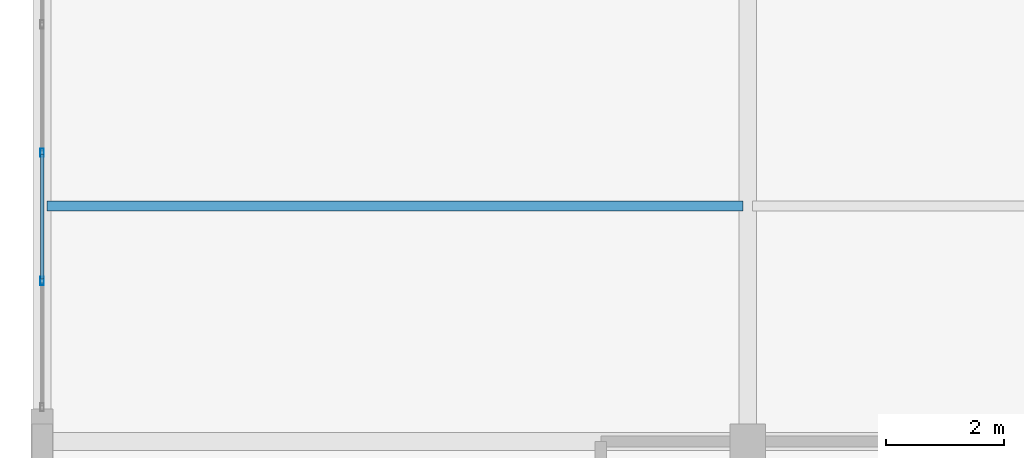
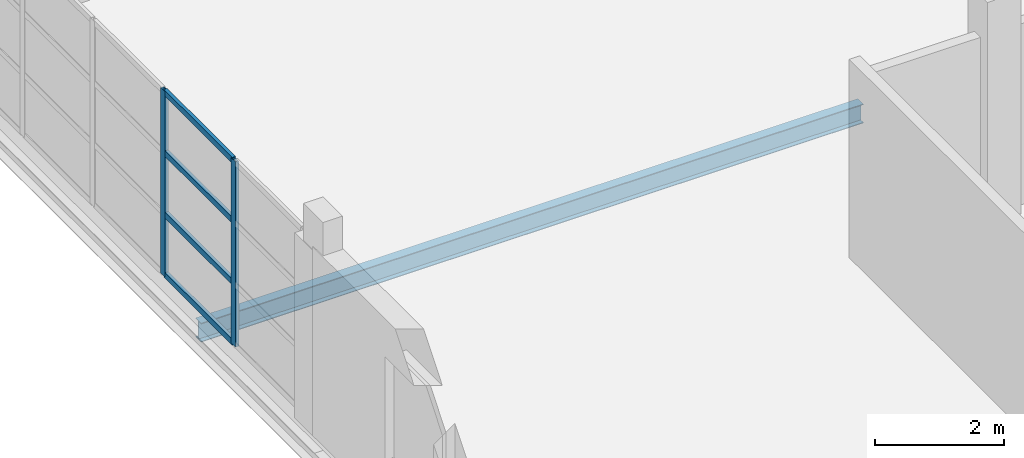
# One storey, part 108 of 147: 6 members, 1 beam, 1 element without a shape of its own.
"""IFC4 building model written with IfcOpenShell, lengths in metres."""

import ifcopenshell
import ifcopenshell.guid

model = None  # the IFC model being written
_history = None  # IfcOwnerHistory: only IFC2X3 demands one
_inside = {}  # id of a spatial element -> (the spatial element, [elements in it])
_under = {}  # id of a project, library or spatial element -> (it, [spatial elements below it])
_declared = {}  # id of a project -> (the project, [libraries it declares])
_typed = {}  # id of a type object -> (the type object, [elements of that type])
_made_of = {}  # id of a material, layer set ... -> (it, [elements and type objects made of it])


def new_model(schema):
    """Start an empty IFC model of exactly this schema.

    Asked for "IFC4X3", IfcOpenShell would pick the latest addendum, in which some entities
    have other attributes; the version numbers below select the first issue.
    IFC2X3 requires an IfcOwnerHistory on every rooted entity: one is made here for all.
    """
    global model, _history
    if schema == "IFC4X3":
        model = ifcopenshell.file(schema_version=(4, 3, 0, 0))
    else:
        model = ifcopenshell.file(schema=schema)
    _inside.clear()
    _under.clear()
    _declared.clear()
    _typed.clear()
    _made_of.clear()
    _history = None
    if model.schema == "IFC2X3":
        org = make("IfcOrganization", Name="unknown")
        user = make(
            "IfcPersonAndOrganization",
            ThePerson=make("IfcPerson", FamilyName="unknown"),
            TheOrganization=org,
        )
        app = make(
            "IfcApplication",
            ApplicationDeveloper=org,
            Version="unknown",
            ApplicationFullName="unknown",
            ApplicationIdentifier="unknown",
        )
        _history = make(
            "IfcOwnerHistory",
            OwningUser=user,
            OwningApplication=app,
            ChangeAction="ADDED",
            CreationDate=0,
        )
    return model


def make(cls, **values):
    """One entity of the class cls with the attributes given. An attribute that is None is left unset."""
    return model.create_entity(
        cls, **{name: value for name, value in values.items() if value is not None}
    )


def rooted(cls, **values):
    """An entity with a GlobalId (a new one), such as an element, a storey or a relation."""
    return make(cls, GlobalId=ifcopenshell.guid.new(), OwnerHistory=_history, **values)


def si_unit(unit_type, name, prefix=None):
    """IfcSIUnit, for example si_unit("LENGTHUNIT", "METRE", prefix="MILLI")."""
    return make("IfcSIUnit", UnitType=unit_type, Prefix=prefix, Name=name)


def assignment(units):
    """IfcUnitAssignment: the units of a project."""
    return None if units is None else make("IfcUnitAssignment", Units=units)


def point(xyz):
    """IfcCartesianPoint."""
    return None if xyz is None else make("IfcCartesianPoint", Coordinates=xyz)


def direction(xyz):
    """IfcDirection."""
    return None if xyz is None else make("IfcDirection", DirectionRatios=xyz)


def frame(location, z_axis=None, x_axis=None):
    """IfcAxis2Placement3D, a coordinate frame: its origin and axes. An axis left out is left unset."""
    return make(
        "IfcAxis2Placement3D",
        Location=point(location),
        Axis=direction(z_axis),
        RefDirection=direction(x_axis),
    )


def frame_2d(location, x_axis=None):
    """IfcAxis2Placement2D, a coordinate frame in the plane: its origin and x axis."""
    return make(
        "IfcAxis2Placement2D", Location=point(location), RefDirection=direction(x_axis)
    )


def origin():
    """The frame at (0, 0, 0) with its axes left unset."""
    return frame((0.0, 0.0, 0.0))


def origin_2d():
    """The frame at (0, 0) in the plane with its x axis left unset."""
    return frame_2d((0.0, 0.0))


def place(relative_to, where):
    """IfcLocalPlacement: puts the frame where relative to a parent placement (None: the world)."""
    return make(
        "IfcLocalPlacement", PlacementRelTo=relative_to, RelativePlacement=where
    )


def context(
    kind, dimensions, precision=None, world=None, true_north=None, identifier=None
):
    """IfcGeometricRepresentationContext, for example the 3D "Model" context."""
    return make(
        "IfcGeometricRepresentationContext",
        ContextIdentifier=identifier,
        ContextType=kind,
        CoordinateSpaceDimension=dimensions,
        Precision=precision,
        WorldCoordinateSystem=world,
        TrueNorth=true_north,
    )


def subcontext(parent, identifier, kind, view, scale=None):
    """IfcGeometricRepresentationSubContext, for example "Body" below "Model"."""
    return make(
        "IfcGeometricRepresentationSubContext",
        ContextIdentifier=identifier,
        ContextType=kind,
        ParentContext=parent,
        TargetScale=scale,
        TargetView=view,
    )


def project(units=None, contexts=None):
    """IfcProject with its units and contexts."""
    return rooted(
        "IfcProject",
        Name="project",
        RepresentationContexts=contexts,
        UnitsInContext=assignment(units),
    )


def spatial(cls, under=None, at=None, **own):
    """A site, building, storey or space (cls), placed at a placement, below another one or the project."""
    s = rooted(cls, ObjectPlacement=at, **own)
    if under is not None:
        _under.setdefault(under.id(), (under, []))[1].append(s)
    return s


def profile(cls, at=None, kind="AREA", **sizes):
    """A parametric profile (cls). Its sizes go by their IFC names, for example OverallWidth=200.0."""
    return make(cls, ProfileType=kind, Position=at, **sizes)


def hollow_rectangle(**sizes):
    """IfcRectangleHollowProfileDef."""
    return profile("IfcRectangleHollowProfileDef", **sizes)


def i_section(**sizes):
    """IfcIShapeProfileDef."""
    return profile("IfcIShapeProfileDef", **sizes)


def extrude(swept, where, along, depth):
    """IfcExtrudedAreaSolid: the profile swept, set in the frame where, extruded along a direction by depth."""
    return make(
        "IfcExtrudedAreaSolid",
        SweptArea=swept,
        Position=where,
        ExtrudedDirection=direction(along),
        Depth=depth,
    )


def shape(context_of_items, identifier, shape_type, items):
    """IfcShapeRepresentation: the items that make up one representation, for example the "Body"."""
    return make(
        "IfcShapeRepresentation",
        ContextOfItems=context_of_items,
        RepresentationIdentifier=identifier,
        RepresentationType=shape_type,
        Items=items,
    )


def material(Name=None, Category=None):
    """IfcMaterial."""
    return make("IfcMaterial", Name=Name, Category=Category)


def layer(
    of_material, thickness, ventilated=None, Name=None, Category=None, Priority=None
):
    """IfcMaterialLayer: one layer of a wall or slab, of a material (None: an air gap)."""
    return make(
        "IfcMaterialLayer",
        Material=of_material,
        LayerThickness=thickness,
        IsVentilated=ventilated,
        Name=Name,
        Category=Category,
        Priority=Priority,
    )


def layer_set(layers, Name=None):
    """IfcMaterialLayerSet."""
    return make("IfcMaterialLayerSet", MaterialLayers=layers, LayerSetName=Name)


def material_profile(
    of_material, cross_section, Name=None, Category=None, Priority=None
):
    """IfcMaterialProfile: a cross section and its material."""
    return make(
        "IfcMaterialProfile",
        Name=Name,
        Material=of_material,
        Profile=cross_section,
        Priority=Priority,
        Category=Category,
    )


def profile_set(profiles, Name=None, composite=None):
    """IfcMaterialProfileSet."""
    return make(
        "IfcMaterialProfileSet",
        Name=Name,
        MaterialProfiles=profiles,
        CompositeProfile=composite,
    )


def made_of(thing, what):
    """Note that an element or type object is made of a material, layer set ...; save() writes the relation."""
    if what is not None:
        _made_of.setdefault(what.id(), (what, []))[1].append(thing)
    return thing


def type_object(cls, material=None, **own):
    """A type object (cls), such as IfcWallType, which elements share."""
    return made_of(rooted(cls, **own), material)


def element(
    cls,
    number,
    at=None,
    inside=None,
    cuts=None,
    type_object=None,
    material=None,
    context=None,
    identifier="Body",
    shape_type=None,
    held_by="IfcProductDefinitionShape",
    body=None,
    shapes=None,
    **own,
):
    """One element of the class cls, such as IfcWall. Its Tag is "e" and its number.

    at: its placement. inside: the storey or other place that contains it. cuts: it is an
    opening in that element (IfcRelVoidsElement). A single representation is given by context,
    identifier, shape_type and body (its items); several are given by shapes. held_by: the class
    of the entity that holds the representations. save() writes the other relations.
    """
    e = rooted(cls, Tag="e%d" % number, ObjectPlacement=at, **own)
    if body is not None:
        shapes = [shape(context, identifier, shape_type, body)]
    if shapes is not None:
        e.Representation = make(held_by, Representations=shapes)
    if inside is not None:
        _inside.setdefault(inside.id(), (inside, []))[1].append(e)
    if cuts is not None:
        rooted(
            "IfcRelVoidsElement", RelatingBuildingElement=cuts, RelatedOpeningElement=e
        )
    if type_object is not None:
        _typed.setdefault(type_object.id(), (type_object, []))[1].append(e)
    return made_of(e, material)


def aggregate(whole, parts):
    """IfcRelAggregates: a whole, such as a stair, and the parts it consists of."""
    return rooted("IfcRelAggregates", RelatingObject=whole, RelatedObjects=parts)


def save(model, path):
    """Write the relations noted so far, then the file.

    IfcRelAggregates (storeys below a building ...), IfcRelContainedInSpatialStructure (elements
    in a storey), IfcRelDefinesByType, IfcRelAssociatesMaterial and IfcRelDeclares: one each for
    every whole, place, type object, material and project.
    """
    for whole, parts in _under.values():
        aggregate(whole, parts)
    for where, things in _inside.values():
        rooted(
            "IfcRelContainedInSpatialStructure",
            RelatedElements=things,
            RelatingStructure=where,
        )
    for kind, things in _typed.values():
        rooted("IfcRelDefinesByType", RelatedObjects=things, RelatingType=kind)
    for what, things in _made_of.values():
        rooted("IfcRelAssociatesMaterial", RelatedObjects=things, RelatingMaterial=what)
    for by, libraries in _declared.values():
        rooted("IfcRelDeclares", RelatingContext=by, RelatedDefinitions=libraries)
    model.write(path)


model = new_model("IFC4")

# Units and contexts
model_context = context("Model", 3, precision=1e-05, world=origin(), true_north=direction((0.0, 1.0)))
body_context = subcontext(model_context, "Body", "Model", "MODEL_VIEW")
ifc_project = project(units=[si_unit("LENGTHUNIT", "METRE"), si_unit("AREAUNIT", "SQUARE_METRE"), si_unit("VOLUMEUNIT", "CUBIC_METRE"), si_unit("PLANEANGLEUNIT", "RADIAN"), si_unit("MASSUNIT", "GRAM", prefix="KILO")], contexts=[model_context])

# Site, building, storey
site_placement = place(None, origin())
site = spatial("IfcSite", under=ifc_project, at=site_placement, CompositionType="ELEMENT")
building_placement = place(site_placement, origin())
building = spatial("IfcBuilding", under=site, at=building_placement, Name="Zilviju Railside Exhibition Hall", CompositionType="ELEMENT")
storey_placement = place(building_placement, frame((0.0, 0.0, 8.39990234375)))
storey = spatial("IfcBuildingStorey", under=building, at=storey_placement, Name="L03", CompositionType="ELEMENT", Elevation=8.39990234375)

# Beam
ifc_material_1 = material(Name="Steel S355J2", Category="steel")
ifc_material_profile_1 = material_profile(ifc_material_1, i_section(OverallWidth=0.169921875, OverallDepth=0.360107421875, WebThickness=0.008056640625, FlangeThickness=0.0126953125, at=origin_2d()), Name="IPE 360")
ifc_profile_set_1 = profile_set([ifc_material_profile_1], Name="Steel S355J2")
beam_type = type_object("IfcBeamType", Name="BM-IPE360", PredefinedType="JOIST", material=ifc_profile_set_1)
beam_placement = place(storey_placement, frame((0.080078125, 130.0, -0.52978515625), z_axis=(1.0, 0.0, 0.0), x_axis=(0.0, 1.0, 0.0)))
element("IfcBeam", 1, at=beam_placement, inside=storey, type_object=beam_type, Name="Composite Floor Joist L03 Y=130.00 (0.0..12.0)", PredefinedType="JOIST", context=body_context, shape_type="SweptSolid", body=[
    extrude(i_section(OverallWidth=0.169921875, OverallDepth=0.360107421875, WebThickness=0.008056640625, FlangeThickness=0.0126953125, at=origin_2d()), origin(), (0.0, 0.0, 1.0), 11.83984375),
])

# Curtain wall, members
ifc_material_2 = material(Name="Thermally broken aluminium-steel triple-glazed curtain wall", Category="steel")
ifc_layer = layer(ifc_material_2, 0.179931640625)
ifc_layer_set = layer_set([ifc_layer], Name="Thermally broken aluminium-steel triple-glazed curtain wall")
curtain_wall_type = type_object("IfcCurtainWallType", Name="CW-BAY-05", PredefinedType="USERDEFINED", material=ifc_layer_set)
curtain_wall_placement = place(storey_placement, origin())
curtain_wall = element("IfcCurtainWall", 2, at=curtain_wall_placement, inside=storey, type_object=curtain_wall_type, Name="Organisers Wing Jugendstils Erkeri Curtain Wall L03", ObjectType="GLAZED CURTAIN WALL", PredefinedType="USERDEFINED")
ifc_material_3 = material(Name="Thermally broken anodized aluminium mullion", Category="aluminium")
ifc_material_profile_2 = material_profile(ifc_material_3, hollow_rectangle(XDim=0.06005859375, YDim=0.139892578125, WallThickness=0.0048828125, at=origin_2d()), Name="MULLION 140x60x5")
ifc_profile_set_2 = profile_set([ifc_material_profile_2], Name="Thermally broken anodized aluminium mullion")
member_type_1 = type_object("IfcMemberType", Name="CWM-60x140", PredefinedType="MULLION", material=ifc_profile_set_2)
member_1_placement = place(storey_placement, frame((0.0, 128.72998046875, 0.0), z_axis=(0.0, 0.0, 1.0), x_axis=(-1.0, 0.0, 0.0)))
member_1 = element("IfcMember", 3, at=member_1_placement, type_object=member_type_1, Name="CW-05 mullion 2", PredefinedType="MULLION", context=body_context, shape_type="SweptSolid", body=[
    extrude(hollow_rectangle(XDim=0.06005859375, YDim=0.139892578125, WallThickness=0.0048828125, at=origin_2d()), origin(), (0.0, 0.0, 1.0), 3.5),
])
member_2_placement = place(storey_placement, frame((0.0, 130.909912109375, 0.0), z_axis=(0.0, 0.0, 1.0), x_axis=(-1.0, 0.0, 0.0)))
member_2 = element("IfcMember", 4, at=member_2_placement, type_object=member_type_1, Name="CW-05 mullion 3", PredefinedType="MULLION", context=body_context, shape_type="SweptSolid", body=[
    extrude(hollow_rectangle(XDim=0.06005859375, YDim=0.139892578125, WallThickness=0.0048828125, at=origin_2d()), origin(), (0.0, 0.0, 1.0), 3.5),
])
ifc_material_4 = material(Name="Thermally broken anodized aluminium transom", Category="aluminium")
ifc_material_profile_3 = material_profile(ifc_material_4, hollow_rectangle(XDim=0.06005859375, YDim=0.110107421875, WallThickness=0.0048828125, at=origin_2d()), Name="TRANSOM 110x60x5")
ifc_profile_set_3 = profile_set([ifc_material_profile_3], Name="Thermally broken anodized aluminium transom")
member_type_2 = type_object("IfcMemberType", Name="CWT-60x110", PredefinedType="USERDEFINED", material=ifc_profile_set_3)
member_3_placement = place(storey_placement, frame((0.0, 128.760009765625, 0.030029296875), z_axis=(0.0, 1.0, 0.0), x_axis=(-1.0, 0.0, 0.0)))
member_3 = element("IfcMember", 5, at=member_3_placement, type_object=member_type_2, Name="CW-05 transom 2.1", ObjectType="TRANSOM", PredefinedType="USERDEFINED", context=body_context, shape_type="SweptSolid", body=[
    extrude(hollow_rectangle(XDim=0.06005859375, YDim=0.110107421875, WallThickness=0.0048828125, at=origin_2d()), origin(), (0.0, 0.0, 1.0), 2.119873046875),
])
member_4_placement = place(storey_placement, frame((0.0, 128.760009765625, 1.1669921875), z_axis=(0.0, 1.0, 0.0), x_axis=(-1.0, 0.0, 0.0)))
member_4 = element("IfcMember", 6, at=member_4_placement, type_object=member_type_2, Name="CW-05 transom 2.2", ObjectType="TRANSOM", PredefinedType="USERDEFINED", context=body_context, shape_type="SweptSolid", body=[
    extrude(hollow_rectangle(XDim=0.06005859375, YDim=0.110107421875, WallThickness=0.0048828125, at=origin_2d()), origin(), (0.0, 0.0, 1.0), 2.119873046875),
])
member_5_placement = place(storey_placement, frame((0.0, 128.760009765625, 2.3330078125), z_axis=(0.0, 1.0, 0.0), x_axis=(-1.0, 0.0, 0.0)))
member_5 = element("IfcMember", 7, at=member_5_placement, type_object=member_type_2, Name="CW-05 transom 2.3", ObjectType="TRANSOM", PredefinedType="USERDEFINED", context=body_context, shape_type="SweptSolid", body=[
    extrude(hollow_rectangle(XDim=0.06005859375, YDim=0.110107421875, WallThickness=0.0048828125, at=origin_2d()), origin(), (0.0, 0.0, 1.0), 2.119873046875),
])
member_6_placement = place(storey_placement, frame((0.0, 128.760009765625, 3.47021484375), z_axis=(0.0, 1.0, 0.0), x_axis=(-1.0, 0.0, 0.0)))
member_6 = element("IfcMember", 8, at=member_6_placement, type_object=member_type_2, Name="CW-05 transom 2.4", ObjectType="TRANSOM", PredefinedType="USERDEFINED", context=body_context, shape_type="SweptSolid", body=[
    extrude(hollow_rectangle(XDim=0.06005859375, YDim=0.110107421875, WallThickness=0.0048828125, at=origin_2d()), origin(), (0.0, 0.0, 1.0), 2.119873046875),
])
aggregate(curtain_wall, [member_1, member_2, member_3, member_4, member_5, member_6])

save(model, "model.ifc")
